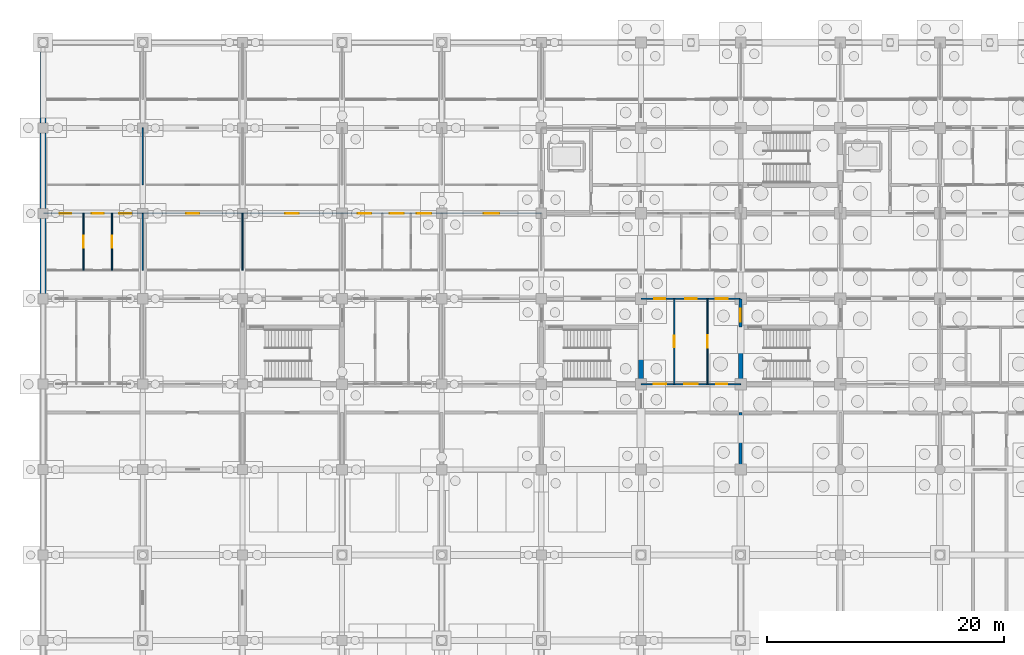
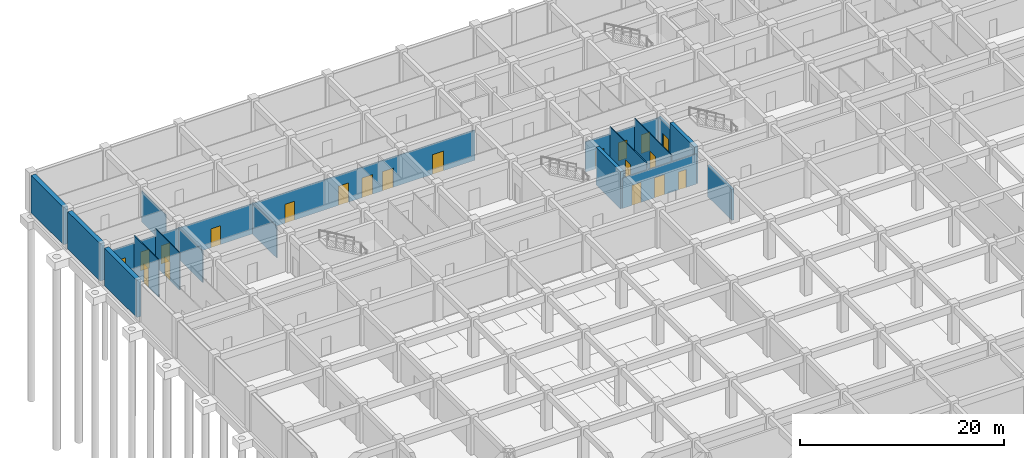
# One storey, part 34 of 85: 20 doors, 17 walls, 20 openings.
"""IFC4 building model written with IfcOpenShell, lengths in metres."""

from ifc_helpers import new_model, si_unit, direction, frame, frame_2d, origin, place, context, subcontext, project, spatial, rectangle, extrude, material, layer, layer_set, type_object, element, fill, save


model = new_model("IFC4")

# Units and contexts
model_context = context("Model", 3, precision=1e-05, world=origin(), true_north=direction((0.0, 1.0)))
body_context = subcontext(model_context, "Body", "Model", "MODEL_VIEW")
ifc_project = project(units=[si_unit("LENGTHUNIT", "METRE"), si_unit("AREAUNIT", "SQUARE_METRE"), si_unit("VOLUMEUNIT", "CUBIC_METRE"), si_unit("PLANEANGLEUNIT", "RADIAN"), si_unit("MASSUNIT", "GRAM", prefix="KILO")], contexts=[model_context])

# Site, building, storey
site_placement = place(None, origin())
site = spatial("IfcSite", under=ifc_project, at=site_placement, CompositionType="ELEMENT")
building_placement = place(site_placement, origin())
building = spatial("IfcBuilding", under=site, at=building_placement, Name="Chengyuan Square Courthouse", CompositionType="ELEMENT")
storey_placement = place(building_placement, frame((0.0, 0.0, -10.199951171875)))
storey = spatial("IfcBuildingStorey", under=building, at=storey_placement, Name="B02", CompositionType="ELEMENT", Elevation=-10.199951171875)

# Wall
ifc_material_1 = material(Name="Concrete C40", Category="concrete")
ifc_layer_1 = layer(ifc_material_1, 0.25)
ifc_layer_set_1 = layer_set([ifc_layer_1], Name="Concrete C40")
wall_type_1 = type_object("IfcWallType", Name="WL-FW1", PredefinedType="STANDARD", material=ifc_layer_set_1)
wall_1_placement = place(storey_placement, frame((58.800048828125, 79.199951171875, 0.0), z_axis=(0.0, 0.0, 1.0), x_axis=(0.0, 1.0, 0.0)))
element("IfcWall", 1, at=wall_1_placement, inside=storey, type_object=wall_type_1, Name="Interior Wall WL-B02-I164", PredefinedType="STANDARD", context=body_context, shape_type="SweptSolid", body=[
    extrude(rectangle(XDim=4.800048828125, YDim=0.25, at=frame_2d((2.39990234375, 0.0))), origin(), (0.0, 0.0, 1.0), 3.72998046875),
])

# Wall, opening, door
wall_2_placement = place(storey_placement, frame((58.800048828125, 91.199951171875, 0.0), z_axis=(0.0, 0.0, 1.0), x_axis=(0.0, 1.0, 0.0)))
wall_2 = element("IfcWall", 2, at=wall_2_placement, inside=storey, type_object=wall_type_1, Name="Interior Wall WL-B02-I166", PredefinedType="STANDARD", context=body_context, shape_type="SweptSolid", body=[
    extrude(rectangle(XDim=2.400146484375, YDim=0.25, at=frame_2d((1.2001953125, 0.0))), origin(), (0.0, 0.0, 1.0), 3.72998046875),
])
opening_1_placement = place(wall_2_placement, frame((0.452392578125, 0.0, 0.0)))
opening_1 = element("IfcOpeningElement", 3, at=opening_1_placement, cuts=wall_2, Name="Opening DR-028", PredefinedType="OPENING", context=body_context, shape_type="SweptSolid", body=[
    extrude(rectangle(XDim=1.10009765625, YDim=2.199951171875, at=frame_2d((0.550048828125, 1.10009765625))), frame((0.0, 0.136962890625, 0.0), z_axis=(0.0, -1.0, 0.0), x_axis=(1.0, 0.0, 0.0)), (0.0, 0.0, 1.0), 0.27392578125),
])
ifc_material_2 = material(Name="Steel Q235B Fire Door", Category="steel")
door_type_1 = type_object("IfcDoorType", Name="DT-10", OperationType="NOTDEFINED", PredefinedType="DOOR", material=ifc_material_2)
door_1_placement = place(opening_1_placement, origin())
door_1 = element("IfcDoor", 4, at=door_1_placement, inside=storey, type_object=door_type_1, Name="Interior Door DR-028", OperationType="SINGLE_SWING_LEFT", OverallHeight=2.199951171875, OverallWidth=1.10009765625, PredefinedType="DOOR", context=body_context, shape_type="SweptSolid", body=[
    extrude(rectangle(XDim=1.10009765625, YDim=2.199951171875, at=frame_2d((0.550048828125, 1.10009765625))), frame((0.0, 0.02490234375, 0.0), z_axis=(0.0, -1.0, 0.0), x_axis=(1.0, 0.0, 0.0)), (0.0, 0.0, 1.0), 0.050048828125),
])
fill(opening_1, door_1)

# Wall, openings, doors
ifc_material_3 = material(Name="Gypsum Plasterboard Acoustic Stud Partition")
ifc_layer_2 = layer(ifc_material_3, 0.10009765625)
ifc_layer_set_2 = layer_set([ifc_layer_2], Name="Gypsum Plasterboard Acoustic Stud Partition")
wall_type_2 = type_object("IfcWallType", Name="WL-PT6", PredefinedType="STANDARD", material=ifc_layer_set_2)
wall_3_placement = place(storey_placement, frame((50.39990234375, 86.39990234375, 0.0), z_axis=(0.0, 0.0, 1.0), x_axis=(1.0, 0.0, 0.0)))
wall_3 = element("IfcWall", 5, at=wall_3_placement, inside=storey, type_object=wall_type_2, Name="Interior Wall WL-B02-I031", PredefinedType="STANDARD", context=body_context, shape_type="SweptSolid", body=[
    extrude(rectangle(XDim=8.400146484375, YDim=0.10009765625, at=frame_2d((4.2001953125, 0.0))), origin(), (0.0, 0.0, 1.0), 3.6298828125),
])
opening_2_placement = place(wall_3_placement, frame((1.08740234375, 0.0, 0.0)))
opening_2 = element("IfcOpeningElement", 6, at=opening_2_placement, cuts=wall_3, Name="Opening DR-236", PredefinedType="OPENING", context=body_context, shape_type="SweptSolid", body=[
    extrude(rectangle(XDim=1.02001953125, YDim=2.39990234375, at=frame_2d((0.510009765625, 1.199951171875))), frame((0.0, 0.06201171875, 0.0), z_axis=(0.0, -1.0, 0.0), x_axis=(1.0, 0.0, 0.0)), (0.0, 0.0, 1.0), 0.1240234375),
])
opening_3_placement = place(wall_3_placement, frame((3.6298828125, 0.0, 0.0)))
opening_3 = element("IfcOpeningElement", 7, at=opening_3_placement, cuts=wall_3, Name="Opening DR-238", PredefinedType="OPENING", context=body_context, shape_type="SweptSolid", body=[
    extrude(rectangle(XDim=1.139892578125, YDim=2.39990234375, at=frame_2d((0.56982421875, 1.199951171875))), frame((0.0, 0.06201171875, 0.0), z_axis=(0.0, -1.0, 0.0), x_axis=(1.0, 0.0, 0.0)), (0.0, 0.0, 1.0), 0.1240234375),
])
opening_4_placement = place(wall_3_placement, frame((6.3525390625, 0.0, 0.0)))
opening_4 = element("IfcOpeningElement", 8, at=opening_4_placement, cuts=wall_3, Name="Opening DR-239", PredefinedType="OPENING", context=body_context, shape_type="SweptSolid", body=[
    extrude(rectangle(XDim=0.89990234375, YDim=2.14990234375, at=frame_2d((0.449951171875, 1.074951171875))), frame((0.0, 0.06201171875, 0.0), z_axis=(0.0, -1.0, 0.0), x_axis=(1.0, 0.0, 0.0)), (0.0, 0.0, 1.0), 0.1240234375),
])
ifc_material_4 = material(Name="Acoustic Solid-Core Timber Door", Category="wood")
door_type_2 = type_object("IfcDoorType", Name="DT-27", OperationType="NOTDEFINED", PredefinedType="DOOR", material=ifc_material_4)
door_2_placement = place(opening_4_placement, origin())
door_2 = element("IfcDoor", 9, at=door_2_placement, inside=storey, type_object=door_type_2, Name="Interior Door DR-239", OperationType="SINGLE_SWING_LEFT", OverallHeight=2.14990234375, OverallWidth=0.89990234375, PredefinedType="DOOR", context=body_context, shape_type="SweptSolid", body=[
    extrude(rectangle(XDim=0.89990234375, YDim=2.14990234375, at=frame_2d((0.449951171875, 1.074951171875))), frame((0.0, 0.02490234375, 0.0), z_axis=(0.0, -1.0, 0.0), x_axis=(1.0, 0.0, 0.0)), (0.0, 0.0, 1.0), 0.050048828125),
])
fill(opening_4, door_2)
door_type_3 = type_object("IfcDoorType", Name="DT-41", OperationType="NOTDEFINED", PredefinedType="DOOR", material=ifc_material_4)
door_3_placement = place(opening_2_placement, origin())
door_3 = element("IfcDoor", 10, at=door_3_placement, inside=storey, type_object=door_type_3, Name="Interior Door DR-236", OperationType="SINGLE_SWING_RIGHT", OverallHeight=2.39990234375, OverallWidth=1.02001953125, PredefinedType="DOOR", context=body_context, shape_type="SweptSolid", body=[
    extrude(rectangle(XDim=1.02001953125, YDim=2.39990234375, at=frame_2d((0.510009765625, 1.199951171875))), frame((0.0, 0.02490234375, 0.0), z_axis=(0.0, -1.0, 0.0), x_axis=(1.0, 0.0, 0.0)), (0.0, 0.0, 1.0), 0.050048828125),
])
fill(opening_2, door_3)
door_type_4 = type_object("IfcDoorType", Name="DT-43", OperationType="NOTDEFINED", PredefinedType="DOOR", material=ifc_material_4)
door_4_placement = place(opening_3_placement, origin())
door_4 = element("IfcDoor", 11, at=door_4_placement, inside=storey, type_object=door_type_4, Name="Interior Door DR-238", OperationType="SINGLE_SWING_RIGHT", OverallHeight=2.39990234375, OverallWidth=1.139892578125, PredefinedType="DOOR", context=body_context, shape_type="SweptSolid", body=[
    extrude(rectangle(XDim=1.139892578125, YDim=2.39990234375, at=frame_2d((0.56982421875, 1.199951171875))), frame((0.0, 0.02490234375, 0.0), z_axis=(0.0, -1.0, 0.0), x_axis=(1.0, 0.0, 0.0)), (0.0, 0.0, 1.0), 0.050048828125),
])
fill(opening_3, door_4)

wall_4_placement = place(storey_placement, frame((50.39990234375, 93.60009765625, 0.0), z_axis=(0.0, 0.0, 1.0), x_axis=(1.0, 0.0, 0.0)))
wall_4 = element("IfcWall", 12, at=wall_4_placement, inside=storey, type_object=wall_type_2, Name="Interior Wall WL-B02-I053", PredefinedType="STANDARD", context=body_context, shape_type="SweptSolid", body=[
    extrude(rectangle(XDim=8.400146484375, YDim=0.10009765625, at=frame_2d((4.2001953125, 0.0))), origin(), (0.0, 0.0, 1.0), 3.6298828125),
])
opening_5_placement = place(wall_4_placement, frame((1.137451171875, 0.0, 0.0)))
opening_5 = element("IfcOpeningElement", 13, at=opening_5_placement, cuts=wall_4, Name="Opening DR-173", PredefinedType="OPENING", context=body_context, shape_type="SweptSolid", body=[
    extrude(rectangle(XDim=0.919921875, YDim=2.14990234375, at=frame_2d((0.4599609375, 1.074951171875))), frame((0.0, 0.06201171875, 0.0), z_axis=(0.0, -1.0, 0.0), x_axis=(1.0, 0.0, 0.0)), (0.0, 0.0, 1.0), 0.1240234375),
])
opening_6_placement = place(wall_4_placement, frame((3.719970703125, 0.0, 0.0)))
opening_6 = element("IfcOpeningElement", 14, at=opening_6_placement, cuts=wall_4, Name="Opening DR-174", PredefinedType="OPENING", context=body_context, shape_type="SweptSolid", body=[
    extrude(rectangle(XDim=0.9599609375, YDim=2.199951171875, at=frame_2d((0.47998046875, 1.10009765625))), frame((0.0, 0.06201171875, 0.0), z_axis=(0.0, -1.0, 0.0), x_axis=(1.0, 0.0, 0.0)), (0.0, 0.0, 1.0), 0.1240234375),
])
opening_7_placement = place(wall_4_placement, frame((6.302490234375, 0.0, 0.0)))
opening_7 = element("IfcOpeningElement", 15, at=opening_7_placement, cuts=wall_4, Name="Opening DR-175", PredefinedType="OPENING", context=body_context, shape_type="SweptSolid", body=[
    extrude(rectangle(XDim=1.0, YDim=2.25, at=frame_2d((0.5, 1.125))), frame((0.0, 0.06201171875, 0.0), z_axis=(0.0, -1.0, 0.0), x_axis=(1.0, 0.0, 0.0)), (0.0, 0.0, 1.0), 0.1240234375),
])
door_type_5 = type_object("IfcDoorType", Name="DT-29", OperationType="NOTDEFINED", PredefinedType="DOOR", material=ifc_material_4)
door_5_placement = place(opening_5_placement, origin())
door_5 = element("IfcDoor", 16, at=door_5_placement, inside=storey, type_object=door_type_5, Name="Interior Door DR-173", OperationType="SINGLE_SWING_RIGHT", OverallHeight=2.14990234375, OverallWidth=0.919921875, PredefinedType="DOOR", context=body_context, shape_type="SweptSolid", body=[
    extrude(rectangle(XDim=0.919921875, YDim=2.14990234375, at=frame_2d((0.4599609375, 1.074951171875))), frame((0.0, 0.02490234375, 0.0), z_axis=(0.0, -1.0, 0.0), x_axis=(1.0, 0.0, 0.0)), (0.0, 0.0, 1.0), 0.050048828125),
])
fill(opening_5, door_5)
door_type_6 = type_object("IfcDoorType", Name="DT-30", OperationType="NOTDEFINED", PredefinedType="DOOR", material=ifc_material_4)
door_6_placement = place(opening_6_placement, origin())
door_6 = element("IfcDoor", 17, at=door_6_placement, inside=storey, type_object=door_type_6, Name="Interior Door DR-174", OperationType="SINGLE_SWING_LEFT", OverallHeight=2.199951171875, OverallWidth=0.9599609375, PredefinedType="DOOR", context=body_context, shape_type="SweptSolid", body=[
    extrude(rectangle(XDim=0.9599609375, YDim=2.199951171875, at=frame_2d((0.47998046875, 1.10009765625))), frame((0.0, 0.02490234375, 0.0), z_axis=(0.0, -1.0, 0.0), x_axis=(1.0, 0.0, 0.0)), (0.0, 0.0, 1.0), 0.050048828125),
])
fill(opening_6, door_6)
door_type_7 = type_object("IfcDoorType", Name="DT-31", OperationType="NOTDEFINED", PredefinedType="DOOR", material=ifc_material_4)
door_7_placement = place(opening_7_placement, origin())
door_7 = element("IfcDoor", 18, at=door_7_placement, inside=storey, type_object=door_type_7, Name="Interior Door DR-175", OperationType="SINGLE_SWING_RIGHT", OverallHeight=2.25, OverallWidth=1.0, PredefinedType="DOOR", context=body_context, shape_type="SweptSolid", body=[
    extrude(rectangle(XDim=1.0, YDim=2.25, at=frame_2d((0.5, 1.125))), frame((0.0, 0.02490234375, 0.0), z_axis=(0.0, -1.0, 0.0), x_axis=(1.0, 0.0, 0.0)), (0.0, 0.0, 1.0), 0.050048828125),
])
fill(opening_7, door_7)

wall_5_placement = place(storey_placement, frame((0.0400390625, 100.800048828125, 0.0), z_axis=(0.0, 0.0, 1.0), x_axis=(1.0, 0.0, 0.0)))
wall_5 = element("IfcWall", 19, at=wall_5_placement, inside=storey, type_object=wall_type_2, Name="Interior Wall WL-B02-I064", PredefinedType="STANDARD", context=body_context, shape_type="SweptSolid", body=[
    extrude(rectangle(XDim=41.9599609375, YDim=0.10009765625, at=frame_2d((20.97998046875, 0.0))), origin(), (0.0, 0.0, 1.0), 3.6298828125),
])
opening_8_placement = place(wall_5_placement, frame((1.3525390625, 0.0, 0.0)))
opening_8 = element("IfcOpeningElement", 20, at=opening_8_placement, cuts=wall_5, Name="Opening DR-089", PredefinedType="OPENING", context=body_context, shape_type="SweptSolid", body=[
    extrude(rectangle(XDim=0.9599609375, YDim=2.199951171875, at=frame_2d((0.47998046875, 1.10009765625))), frame((0.0, 0.06201171875, 0.0), z_axis=(0.0, -1.0, 0.0), x_axis=(1.0, 0.0, 0.0)), (0.0, 0.0, 1.0), 0.1240234375),
])
opening_9_placement = place(wall_5_placement, frame((4.06005859375, 0.0, 0.0)))
opening_9 = element("IfcOpeningElement", 21, at=opening_9_placement, cuts=wall_5, Name="Opening DR-090", PredefinedType="OPENING", context=body_context, shape_type="SweptSolid", body=[
    extrude(rectangle(XDim=1.0, YDim=2.25, at=frame_2d((0.5, 1.125))), frame((0.0, 0.06201171875, 0.0), z_axis=(0.0, -1.0, 0.0), x_axis=(1.0, 0.0, 0.0)), (0.0, 0.0, 1.0), 0.1240234375),
])
opening_10_placement = place(wall_5_placement, frame((6.367431640625, 0.0, 0.0)))
opening_10 = element("IfcOpeningElement", 22, at=opening_10_placement, cuts=wall_5, Name="Opening DR-091", PredefinedType="OPENING", context=body_context, shape_type="SweptSolid", body=[
    extrude(rectangle(XDim=1.0400390625, YDim=2.199951171875, at=frame_2d((0.52001953125, 1.10009765625))), frame((0.0, 0.06201171875, 0.0), z_axis=(0.0, -1.0, 0.0), x_axis=(1.0, 0.0, 0.0)), (0.0, 0.0, 1.0), 0.1240234375),
])
opening_11_placement = place(wall_5_placement, frame((12.02001953125, 0.0, 0.0)))
opening_11 = element("IfcOpeningElement", 23, at=opening_11_placement, cuts=wall_5, Name="Opening DR-092", PredefinedType="OPENING", context=body_context, shape_type="SweptSolid", body=[
    extrude(rectangle(XDim=1.080078125, YDim=2.25, at=frame_2d((0.5400390625, 1.125))), frame((0.0, 0.06201171875, 0.0), z_axis=(0.0, -1.0, 0.0), x_axis=(1.0, 0.0, 0.0)), (0.0, 0.0, 1.0), 0.1240234375),
])
opening_12_placement = place(wall_5_placement, frame((20.387451171875, 0.0, 0.0)))
opening_12 = element("IfcOpeningElement", 24, at=opening_12_placement, cuts=wall_5, Name="Opening DR-093", PredefinedType="OPENING", context=body_context, shape_type="SweptSolid", body=[
    extrude(rectangle(XDim=1.1201171875, YDim=2.25, at=frame_2d((0.56005859375, 1.125))), frame((0.0, 0.06201171875, 0.0), z_axis=(0.0, -1.0, 0.0), x_axis=(1.0, 0.0, 0.0)), (0.0, 0.0, 1.0), 0.1240234375),
])
opening_13_placement = place(wall_5_placement, frame((26.465087890625, 0.0, 0.0)))
opening_13 = element("IfcOpeningElement", 25, at=opening_13_placement, cuts=wall_5, Name="Opening DR-094", PredefinedType="OPENING", context=body_context, shape_type="SweptSolid", body=[
    extrude(rectangle(XDim=1.159912109375, YDim=2.300048828125, at=frame_2d((0.580078125, 1.14990234375))), frame((0.0, 0.06201171875, 0.0), z_axis=(0.0, -1.0, 0.0), x_axis=(1.0, 0.0, 0.0)), (0.0, 0.0, 1.0), 0.1240234375),
])
opening_14_placement = place(wall_5_placement, frame((29.159912109375, 0.0, 0.0)))
opening_14 = element("IfcOpeningElement", 26, at=opening_14_placement, cuts=wall_5, Name="Opening DR-095", PredefinedType="OPENING", context=body_context, shape_type="SweptSolid", body=[
    extrude(rectangle(XDim=1.199951171875, YDim=2.35009765625, at=frame_2d((0.60009765625, 1.175048828125))), frame((0.0, 0.06201171875, 0.0), z_axis=(0.0, -1.0, 0.0), x_axis=(1.0, 0.0, 0.0)), (0.0, 0.0, 1.0), 0.1240234375),
])
opening_15_placement = place(wall_5_placement, frame((31.455078125, 0.0, 0.0)))
opening_15 = element("IfcOpeningElement", 27, at=opening_15_placement, cuts=wall_5, Name="Opening DR-096", PredefinedType="OPENING", context=body_context, shape_type="SweptSolid", body=[
    extrude(rectangle(XDim=1.239990234375, YDim=2.300048828125, at=frame_2d((0.6201171875, 1.14990234375))), frame((0.0, 0.06201171875, 0.0), z_axis=(0.0, -1.0, 0.0), x_axis=(1.0, 0.0, 0.0)), (0.0, 0.0, 1.0), 0.1240234375),
])
opening_16_placement = place(wall_5_placement, frame((37.1201171875, 0.0, 0.0)))
opening_16 = element("IfcOpeningElement", 28, at=opening_16_placement, cuts=wall_5, Name="Opening DR-097", PredefinedType="OPENING", context=body_context, shape_type="SweptSolid", body=[
    extrude(rectangle(XDim=1.280029296875, YDim=2.35009765625, at=frame_2d((0.64013671875, 1.175048828125))), frame((0.0, 0.06201171875, 0.0), z_axis=(0.0, -1.0, 0.0), x_axis=(1.0, 0.0, 0.0)), (0.0, 0.0, 1.0), 0.1240234375),
])
door_8_placement = place(opening_8_placement, origin())
door_8 = element("IfcDoor", 29, at=door_8_placement, inside=storey, type_object=door_type_6, Name="Interior Door DR-089", OperationType="SINGLE_SWING_LEFT", OverallHeight=2.199951171875, OverallWidth=0.9599609375, PredefinedType="DOOR", context=body_context, shape_type="SweptSolid", body=[
    extrude(rectangle(XDim=0.9599609375, YDim=2.199951171875, at=frame_2d((0.47998046875, 1.10009765625))), frame((0.0, 0.02490234375, 0.0), z_axis=(0.0, -1.0, 0.0), x_axis=(1.0, 0.0, 0.0)), (0.0, 0.0, 1.0), 0.050048828125),
])
fill(opening_8, door_8)
door_9_placement = place(opening_9_placement, origin())
door_9 = element("IfcDoor", 30, at=door_9_placement, inside=storey, type_object=door_type_7, Name="Interior Door DR-090", OperationType="SINGLE_SWING_RIGHT", OverallHeight=2.25, OverallWidth=1.0, PredefinedType="DOOR", context=body_context, shape_type="SweptSolid", body=[
    extrude(rectangle(XDim=1.0, YDim=2.25, at=frame_2d((0.5, 1.125))), frame((0.0, 0.02490234375, 0.0), z_axis=(0.0, -1.0, 0.0), x_axis=(1.0, 0.0, 0.0)), (0.0, 0.0, 1.0), 0.050048828125),
])
fill(opening_9, door_9)
door_type_8 = type_object("IfcDoorType", Name="DT-32", OperationType="NOTDEFINED", PredefinedType="DOOR", material=ifc_material_4)
door_10_placement = place(opening_10_placement, origin())
door_10 = element("IfcDoor", 31, at=door_10_placement, inside=storey, type_object=door_type_8, Name="Interior Door DR-091", OperationType="SINGLE_SWING_LEFT", OverallHeight=2.199951171875, OverallWidth=1.0400390625, PredefinedType="DOOR", context=body_context, shape_type="SweptSolid", body=[
    extrude(rectangle(XDim=1.0400390625, YDim=2.199951171875, at=frame_2d((0.52001953125, 1.10009765625))), frame((0.0, 0.02490234375, 0.0), z_axis=(0.0, -1.0, 0.0), x_axis=(1.0, 0.0, 0.0)), (0.0, 0.0, 1.0), 0.050048828125),
])
fill(opening_10, door_10)
door_type_9 = type_object("IfcDoorType", Name="DT-33", OperationType="NOTDEFINED", PredefinedType="DOOR", material=ifc_material_4)
door_11_placement = place(opening_11_placement, origin())
door_11 = element("IfcDoor", 32, at=door_11_placement, inside=storey, type_object=door_type_9, Name="Interior Door DR-092", OperationType="SINGLE_SWING_RIGHT", OverallHeight=2.25, OverallWidth=1.080078125, PredefinedType="DOOR", context=body_context, shape_type="SweptSolid", body=[
    extrude(rectangle(XDim=1.080078125, YDim=2.25, at=frame_2d((0.5400390625, 1.125))), frame((0.0, 0.02490234375, 0.0), z_axis=(0.0, -1.0, 0.0), x_axis=(1.0, 0.0, 0.0)), (0.0, 0.0, 1.0), 0.050048828125),
])
fill(opening_11, door_11)
door_type_10 = type_object("IfcDoorType", Name="DT-34", OperationType="NOTDEFINED", PredefinedType="DOOR", material=ifc_material_4)
door_12_placement = place(opening_12_placement, origin())
door_12 = element("IfcDoor", 33, at=door_12_placement, inside=storey, type_object=door_type_10, Name="Interior Door DR-093", OperationType="SINGLE_SWING_LEFT", OverallHeight=2.25, OverallWidth=1.1201171875, PredefinedType="DOOR", context=body_context, shape_type="SweptSolid", body=[
    extrude(rectangle(XDim=1.1201171875, YDim=2.25, at=frame_2d((0.56005859375, 1.125))), frame((0.0, 0.02490234375, 0.0), z_axis=(0.0, -1.0, 0.0), x_axis=(1.0, 0.0, 0.0)), (0.0, 0.0, 1.0), 0.050048828125),
])
fill(opening_12, door_12)
door_type_11 = type_object("IfcDoorType", Name="DT-35", OperationType="NOTDEFINED", PredefinedType="DOOR", material=ifc_material_4)
door_13_placement = place(opening_13_placement, origin())
door_13 = element("IfcDoor", 34, at=door_13_placement, inside=storey, type_object=door_type_11, Name="Interior Door DR-094", OperationType="SINGLE_SWING_RIGHT", OverallHeight=2.300048828125, OverallWidth=1.159912109375, PredefinedType="DOOR", context=body_context, shape_type="SweptSolid", body=[
    extrude(rectangle(XDim=1.159912109375, YDim=2.300048828125, at=frame_2d((0.580078125, 1.14990234375))), frame((0.0, 0.02490234375, 0.0), z_axis=(0.0, -1.0, 0.0), x_axis=(1.0, 0.0, 0.0)), (0.0, 0.0, 1.0), 0.050048828125),
])
fill(opening_13, door_13)
door_type_12 = type_object("IfcDoorType", Name="DT-36", OperationType="NOTDEFINED", PredefinedType="DOOR", material=ifc_material_4)
door_14_placement = place(opening_14_placement, origin())
door_14 = element("IfcDoor", 35, at=door_14_placement, inside=storey, type_object=door_type_12, Name="Interior Door DR-095", OperationType="SINGLE_SWING_LEFT", OverallHeight=2.35009765625, OverallWidth=1.199951171875, PredefinedType="DOOR", context=body_context, shape_type="SweptSolid", body=[
    extrude(rectangle(XDim=1.199951171875, YDim=2.35009765625, at=frame_2d((0.60009765625, 1.175048828125))), frame((0.0, 0.02490234375, 0.0), z_axis=(0.0, -1.0, 0.0), x_axis=(1.0, 0.0, 0.0)), (0.0, 0.0, 1.0), 0.050048828125),
])
fill(opening_14, door_14)
door_type_13 = type_object("IfcDoorType", Name="DT-37", OperationType="NOTDEFINED", PredefinedType="DOOR", material=ifc_material_4)
door_15_placement = place(opening_15_placement, origin())
door_15 = element("IfcDoor", 36, at=door_15_placement, inside=storey, type_object=door_type_13, Name="Interior Door DR-096", OperationType="SINGLE_SWING_RIGHT", OverallHeight=2.300048828125, OverallWidth=1.239990234375, PredefinedType="DOOR", context=body_context, shape_type="SweptSolid", body=[
    extrude(rectangle(XDim=1.239990234375, YDim=2.300048828125, at=frame_2d((0.6201171875, 1.14990234375))), frame((0.0, 0.02490234375, 0.0), z_axis=(0.0, -1.0, 0.0), x_axis=(1.0, 0.0, 0.0)), (0.0, 0.0, 1.0), 0.050048828125),
])
fill(opening_15, door_15)
door_type_14 = type_object("IfcDoorType", Name="DT-38", OperationType="NOTDEFINED", PredefinedType="DOOR", material=ifc_material_4)
door_16_placement = place(opening_16_placement, origin())
door_16 = element("IfcDoor", 37, at=door_16_placement, inside=storey, type_object=door_type_14, Name="Interior Door DR-097", OperationType="SINGLE_SWING_LEFT", OverallHeight=2.35009765625, OverallWidth=1.280029296875, PredefinedType="DOOR", context=body_context, shape_type="SweptSolid", body=[
    extrude(rectangle(XDim=1.280029296875, YDim=2.35009765625, at=frame_2d((0.64013671875, 1.175048828125))), frame((0.0, 0.02490234375, 0.0), z_axis=(0.0, -1.0, 0.0), x_axis=(1.0, 0.0, 0.0)), (0.0, 0.0, 1.0), 0.050048828125),
])
fill(opening_16, door_16)

# Wall, opening, door
wall_6_placement = place(storey_placement, frame((3.39990234375, 96.0, 0.0), z_axis=(0.0, 0.0, 1.0), x_axis=(0.0, 1.0, 0.0)))
wall_6 = element("IfcWall", 38, at=wall_6_placement, inside=storey, type_object=wall_type_2, Name="Interior Wall WL-B02-I113", PredefinedType="STANDARD", context=body_context, shape_type="SweptSolid", body=[
    extrude(rectangle(XDim=4.800048828125, YDim=0.10009765625, at=frame_2d((2.39990234375, 0.0))), origin(), (0.0, 0.0, 1.0), 4.47998046875),
])
opening_17_placement = place(wall_6_placement, frame((1.89990234375, 0.0, 0.0)))
opening_17 = element("IfcOpeningElement", 39, at=opening_17_placement, cuts=wall_6, Name="Opening DR-209", PredefinedType="OPENING", context=body_context, shape_type="SweptSolid", body=[
    extrude(rectangle(XDim=1.0, YDim=2.25, at=frame_2d((0.5, 1.125))), frame((0.0, 0.06201171875, 0.0), z_axis=(0.0, -1.0, 0.0), x_axis=(1.0, 0.0, 0.0)), (0.0, 0.0, 1.0), 0.1240234375),
])
door_17_placement = place(opening_17_placement, origin())
door_17 = element("IfcDoor", 40, at=door_17_placement, inside=storey, type_object=door_type_7, Name="Interior Door DR-209", OperationType="SINGLE_SWING_LEFT", OverallHeight=2.25, OverallWidth=1.0, PredefinedType="DOOR", context=body_context, shape_type="SweptSolid", body=[
    extrude(rectangle(XDim=1.0, YDim=2.25, at=frame_2d((0.5, 1.125))), frame((0.0, 0.02490234375, 0.0), z_axis=(0.0, -1.0, 0.0), x_axis=(1.0, 0.0, 0.0)), (0.0, 0.0, 1.0), 0.050048828125),
])
fill(opening_17, door_17)

wall_7_placement = place(storey_placement, frame((5.800048828125, 96.0, 0.0), z_axis=(0.0, 0.0, 1.0), x_axis=(0.0, 1.0, 0.0)))
wall_7 = element("IfcWall", 41, at=wall_7_placement, inside=storey, type_object=wall_type_2, Name="Interior Wall WL-B02-I115", PredefinedType="STANDARD", context=body_context, shape_type="SweptSolid", body=[
    extrude(rectangle(XDim=4.800048828125, YDim=0.10009765625, at=frame_2d((2.39990234375, 0.0))), origin(), (0.0, 0.0, 1.0), 4.47998046875),
])
opening_18_placement = place(wall_7_placement, frame((1.8798828125, 0.0, 0.0)))
opening_18 = element("IfcOpeningElement", 42, at=opening_18_placement, cuts=wall_7, Name="Opening DR-210", PredefinedType="OPENING", context=body_context, shape_type="SweptSolid", body=[
    extrude(rectangle(XDim=1.0400390625, YDim=2.199951171875, at=frame_2d((0.52001953125, 1.10009765625))), frame((0.0, 0.06201171875, 0.0), z_axis=(0.0, -1.0, 0.0), x_axis=(1.0, 0.0, 0.0)), (0.0, 0.0, 1.0), 0.1240234375),
])
door_18_placement = place(opening_18_placement, origin())
door_18 = element("IfcDoor", 43, at=door_18_placement, inside=storey, type_object=door_type_8, Name="Interior Door DR-210", OperationType="SINGLE_SWING_RIGHT", OverallHeight=2.199951171875, OverallWidth=1.0400390625, PredefinedType="DOOR", context=body_context, shape_type="SweptSolid", body=[
    extrude(rectangle(XDim=1.0400390625, YDim=2.199951171875, at=frame_2d((0.52001953125, 1.10009765625))), frame((0.0, 0.02490234375, 0.0), z_axis=(0.0, -1.0, 0.0), x_axis=(1.0, 0.0, 0.0)), (0.0, 0.0, 1.0), 0.050048828125),
])
fill(opening_18, door_18)

# Walls
for number, where, z_axis, x_axis, name in (
    (44, (8.39990234375, 96.0, 0.0), (0.0, 0.0, 1.0), (0.0, 1.0, 0.0), "Interior Wall WL-B02-I119"),
    (45, (8.39990234375, 103.199951171875, 0.0), (0.0, 0.0, 1.0), (0.0, 1.0, 0.0), "Interior Wall WL-B02-I120"),
    (46, (16.800048828125, 96.0, 0.0), (0.0, 0.0, 1.0), (0.0, 1.0, 0.0), "Interior Wall WL-B02-I128"),
):
    element("IfcWall", number, at=place(storey_placement, frame(where, z_axis=z_axis, x_axis=x_axis)), inside=storey, type_object=wall_type_2, Name=name, PredefinedType="STANDARD", context=body_context, shape_type="SweptSolid", body=[
        extrude(rectangle(XDim=4.800048828125, YDim=0.10009765625, at=frame_2d((2.39990234375, 0.0))), origin(), (0.0, 0.0, 1.0), 3.72998046875),
    ])

# Wall, opening, door
wall_8_placement = place(storey_placement, frame((53.199951171875, 86.39990234375, 0.0), z_axis=(0.0, 0.0, 1.0), x_axis=(0.0, 1.0, 0.0)))
wall_8 = element("IfcWall", 47, at=wall_8_placement, inside=storey, type_object=wall_type_2, Name="Interior Wall WL-B02-I160", PredefinedType="STANDARD", context=body_context, shape_type="SweptSolid", body=[
    extrude(rectangle(XDim=7.2001953125, YDim=0.10009765625, at=frame_2d((3.60009765625, 0.0))), origin(), (0.0, 0.0, 1.0), 4.47998046875),
])
opening_19_placement = place(wall_8_placement, frame((3.110107421875, 0.0, 0.0)))
opening_19 = element("IfcOpeningElement", 48, at=opening_19_placement, cuts=wall_8, Name="Opening DR-235", PredefinedType="OPENING", context=body_context, shape_type="SweptSolid", body=[
    extrude(rectangle(XDim=0.97998046875, YDim=2.35009765625, at=frame_2d((0.489990234375, 1.175048828125))), frame((0.0, 0.06201171875, 0.0), z_axis=(0.0, -1.0, 0.0), x_axis=(1.0, 0.0, 0.0)), (0.0, 0.0, 1.0), 0.1240234375),
])
door_type_15 = type_object("IfcDoorType", Name="DT-40", OperationType="NOTDEFINED", PredefinedType="DOOR", material=ifc_material_4)
door_19_placement = place(opening_19_placement, origin())
door_19 = element("IfcDoor", 49, at=door_19_placement, inside=storey, type_object=door_type_15, Name="Interior Door DR-235", OperationType="SINGLE_SWING_LEFT", OverallHeight=2.35009765625, OverallWidth=0.97998046875, PredefinedType="DOOR", context=body_context, shape_type="SweptSolid", body=[
    extrude(rectangle(XDim=0.97998046875, YDim=2.35009765625, at=frame_2d((0.489990234375, 1.175048828125))), frame((0.0, 0.02490234375, 0.0), z_axis=(0.0, -1.0, 0.0), x_axis=(1.0, 0.0, 0.0)), (0.0, 0.0, 1.0), 0.050048828125),
])
fill(opening_19, door_19)

wall_9_placement = place(storey_placement, frame((56.0, 86.39990234375, 0.0), z_axis=(0.0, 0.0, 1.0), x_axis=(0.0, 1.0, 0.0)))
wall_9 = element("IfcWall", 50, at=wall_9_placement, inside=storey, type_object=wall_type_2, Name="Interior Wall WL-B02-I162", PredefinedType="STANDARD", context=body_context, shape_type="SweptSolid", body=[
    extrude(rectangle(XDim=7.2001953125, YDim=0.10009765625, at=frame_2d((3.60009765625, 0.0))), origin(), (0.0, 0.0, 1.0), 4.47998046875),
])
opening_20_placement = place(wall_9_placement, frame((3.070068359375, 0.0, 0.0)))
opening_20 = element("IfcOpeningElement", 51, at=opening_20_placement, cuts=wall_9, Name="Opening DR-237", PredefinedType="OPENING", context=body_context, shape_type="SweptSolid", body=[
    extrude(rectangle(XDim=1.06005859375, YDim=2.39990234375, at=frame_2d((0.530029296875, 1.199951171875))), frame((0.0, 0.06201171875, 0.0), z_axis=(0.0, -1.0, 0.0), x_axis=(1.0, 0.0, 0.0)), (0.0, 0.0, 1.0), 0.1240234375),
])
door_type_16 = type_object("IfcDoorType", Name="DT-42", OperationType="NOTDEFINED", PredefinedType="DOOR", material=ifc_material_4)
door_20_placement = place(opening_20_placement, origin())
door_20 = element("IfcDoor", 52, at=door_20_placement, inside=storey, type_object=door_type_16, Name="Interior Door DR-237", OperationType="SINGLE_SWING_LEFT", OverallHeight=2.39990234375, OverallWidth=1.06005859375, PredefinedType="DOOR", context=body_context, shape_type="SweptSolid", body=[
    extrude(rectangle(XDim=1.06005859375, YDim=2.39990234375, at=frame_2d((0.530029296875, 1.199951171875))), frame((0.0, 0.02490234375, 0.0), z_axis=(0.0, -1.0, 0.0), x_axis=(1.0, 0.0, 0.0)), (0.0, 0.0, 1.0), 0.050048828125),
])
fill(opening_20, door_20)

# Walls
ifc_layer_3 = layer(ifc_material_1, 0.5)
ifc_layer_set_3 = layer_set([ifc_layer_3], Name="Concrete C40")
wall_type_3 = type_object("IfcWallType", Name="WL-RW1", PredefinedType="USERDEFINED", material=ifc_layer_set_3)
wall_10_placement = place(storey_placement, frame((0.0, 94.02001953125, 0.0), z_axis=(0.0, 0.0, 1.0), x_axis=(0.0, 1.0, 0.0)))
element("IfcWall", 53, at=wall_10_placement, inside=storey, type_object=wall_type_3, Name="Basement Retaining Wall WL-B02-E015", ObjectType="RETAININGWALL", PredefinedType="USERDEFINED", context=body_context, shape_type="SweptSolid", body=[
    extrude(rectangle(XDim=6.35986328125, YDim=0.5, at=frame_2d((3.179931640625, 0.0))), origin(), (0.0, 0.0, 1.0), 4.47998046875),
])
for number, where, z_axis, x_axis, name in (
    (54, (0.0, 101.219970703125, 0.0), (0.0, 0.0, 1.0), (0.0, 1.0, 0.0), "Basement Retaining Wall WL-B02-E016"),
    (55, (0.0, 108.419921875, 0.0), (0.0, 0.0, 1.0), (0.0, 1.0, 0.0), "Basement Retaining Wall WL-B02-E018"),
):
    element("IfcWall", number, at=place(storey_placement, frame(where, z_axis=z_axis, x_axis=x_axis)), inside=storey, type_object=wall_type_3, Name=name, ObjectType="RETAININGWALL", PredefinedType="USERDEFINED", context=body_context, shape_type="SweptSolid", body=[
        extrude(rectangle(XDim=6.360107421875, YDim=0.5, at=frame_2d((3.18017578125, 0.0))), origin(), (0.0, 0.0, 1.0), 4.47998046875),
    ])
ifc_material_5 = material(Name="Concrete C50", Category="concrete")
ifc_layer_4 = layer(ifc_material_5, 0.39990234375)
ifc_layer_set_4 = layer_set([ifc_layer_4], Name="Concrete C50")
wall_type_4 = type_object("IfcWallType", Name="WL-SW1", PredefinedType="SHEAR", material=ifc_layer_set_4)
for number, where, z_axis, x_axis, name in (
    (56, (50.39990234375, 86.39990234375, 0.0), (0.0, 0.0, 1.0), (0.0, 1.0, 0.0), "Interior Wall WL-B02-I158"),
    (57, (58.800048828125, 86.39990234375, 0.0), (0.0, 0.0, 1.0), (0.0, 1.0, 0.0), "Interior Wall WL-B02-I165"),
):
    element("IfcWall", number, at=place(storey_placement, frame(where, z_axis=z_axis, x_axis=x_axis)), inside=storey, type_object=wall_type_4, Name=name, PredefinedType="SHEAR", context=body_context, shape_type="SweptSolid", body=[
        extrude(rectangle(XDim=4.800048828125, YDim=0.39990234375, at=frame_2d((2.39990234375, 0.0))), origin(), (0.0, 0.0, 1.0), 4.47998046875),
    ])

save(model, "model.ifc")
